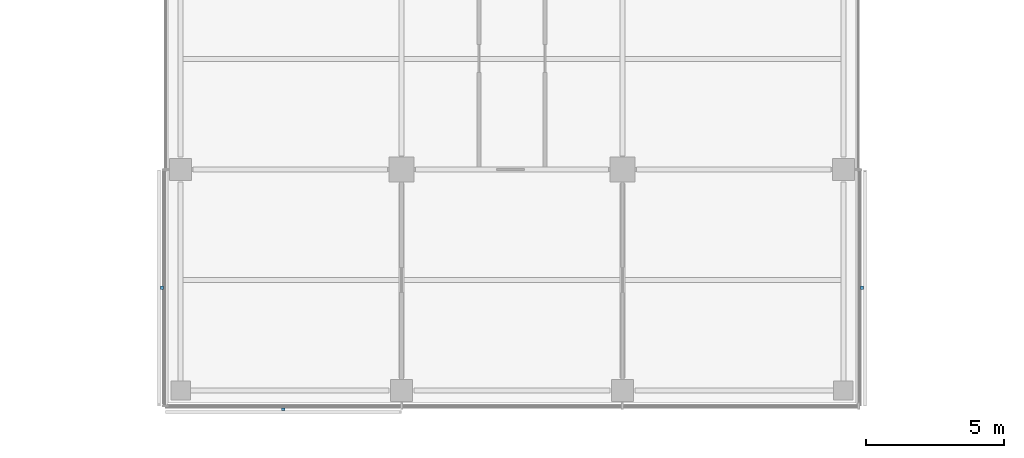
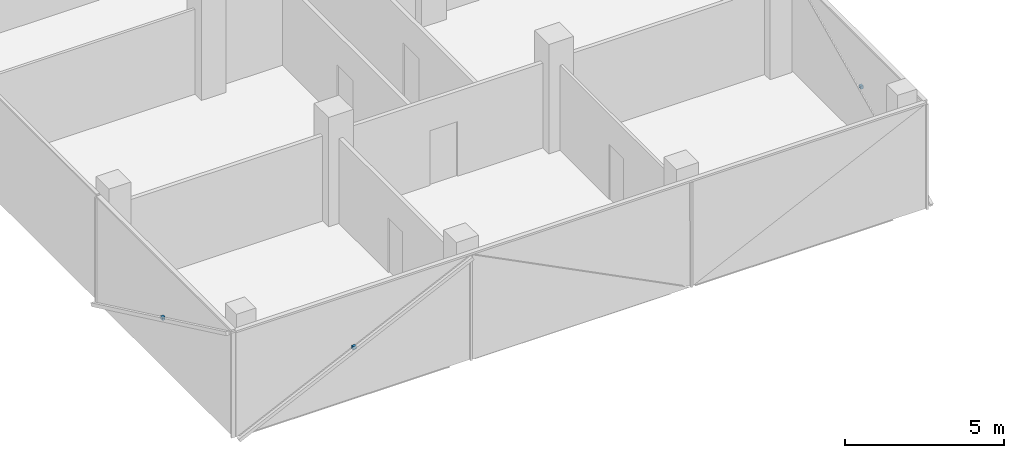
# One storey, part 18 of 22: 3 discrete accessories.
"""IFC4 building model written with IfcOpenShell, lengths in metres."""

import ifcopenshell
import ifcopenshell.guid

model = None  # the IFC model being written
_history = None  # IfcOwnerHistory: only IFC2X3 demands one
_inside = {}  # id of a spatial element -> (the spatial element, [elements in it])
_under = {}  # id of a project, library or spatial element -> (it, [spatial elements below it])
_declared = {}  # id of a project -> (the project, [libraries it declares])
_typed = {}  # id of a type object -> (the type object, [elements of that type])
_made_of = {}  # id of a material, layer set ... -> (it, [elements and type objects made of it])


def new_model(schema):
    """Start an empty IFC model of exactly this schema.

    Asked for "IFC4X3", IfcOpenShell would pick the latest addendum, in which some entities
    have other attributes; the version numbers below select the first issue.
    IFC2X3 requires an IfcOwnerHistory on every rooted entity: one is made here for all.
    """
    global model, _history
    if schema == "IFC4X3":
        model = ifcopenshell.file(schema_version=(4, 3, 0, 0))
    else:
        model = ifcopenshell.file(schema=schema)
    _inside.clear()
    _under.clear()
    _declared.clear()
    _typed.clear()
    _made_of.clear()
    _history = None
    if model.schema == "IFC2X3":
        org = make("IfcOrganization", Name="unknown")
        user = make(
            "IfcPersonAndOrganization",
            ThePerson=make("IfcPerson", FamilyName="unknown"),
            TheOrganization=org,
        )
        app = make(
            "IfcApplication",
            ApplicationDeveloper=org,
            Version="unknown",
            ApplicationFullName="unknown",
            ApplicationIdentifier="unknown",
        )
        _history = make(
            "IfcOwnerHistory",
            OwningUser=user,
            OwningApplication=app,
            ChangeAction="ADDED",
            CreationDate=0,
        )
    return model


def make(cls, **values):
    """One entity of the class cls with the attributes given. An attribute that is None is left unset."""
    return model.create_entity(
        cls, **{name: value for name, value in values.items() if value is not None}
    )


def rooted(cls, **values):
    """An entity with a GlobalId (a new one), such as an element, a storey or a relation."""
    return make(cls, GlobalId=ifcopenshell.guid.new(), OwnerHistory=_history, **values)


def si_unit(unit_type, name, prefix=None):
    """IfcSIUnit, for example si_unit("LENGTHUNIT", "METRE", prefix="MILLI")."""
    return make("IfcSIUnit", UnitType=unit_type, Prefix=prefix, Name=name)


def assignment(units):
    """IfcUnitAssignment: the units of a project."""
    return None if units is None else make("IfcUnitAssignment", Units=units)


def point(xyz):
    """IfcCartesianPoint."""
    return None if xyz is None else make("IfcCartesianPoint", Coordinates=xyz)


def direction(xyz):
    """IfcDirection."""
    return None if xyz is None else make("IfcDirection", DirectionRatios=xyz)


def frame(location, z_axis=None, x_axis=None):
    """IfcAxis2Placement3D, a coordinate frame: its origin and axes. An axis left out is left unset."""
    return make(
        "IfcAxis2Placement3D",
        Location=point(location),
        Axis=direction(z_axis),
        RefDirection=direction(x_axis),
    )


def frame_2d(location, x_axis=None):
    """IfcAxis2Placement2D, a coordinate frame in the plane: its origin and x axis."""
    return make(
        "IfcAxis2Placement2D", Location=point(location), RefDirection=direction(x_axis)
    )


def origin():
    """The frame at (0, 0, 0) with its axes left unset."""
    return frame((0.0, 0.0, 0.0))


def origin_2d():
    """The frame at (0, 0) in the plane with its x axis left unset."""
    return frame_2d((0.0, 0.0))


def place(relative_to, where):
    """IfcLocalPlacement: puts the frame where relative to a parent placement (None: the world)."""
    return make(
        "IfcLocalPlacement", PlacementRelTo=relative_to, RelativePlacement=where
    )


def context(
    kind, dimensions, precision=None, world=None, true_north=None, identifier=None
):
    """IfcGeometricRepresentationContext, for example the 3D "Model" context."""
    return make(
        "IfcGeometricRepresentationContext",
        ContextIdentifier=identifier,
        ContextType=kind,
        CoordinateSpaceDimension=dimensions,
        Precision=precision,
        WorldCoordinateSystem=world,
        TrueNorth=true_north,
    )


def subcontext(parent, identifier, kind, view, scale=None):
    """IfcGeometricRepresentationSubContext, for example "Body" below "Model"."""
    return make(
        "IfcGeometricRepresentationSubContext",
        ContextIdentifier=identifier,
        ContextType=kind,
        ParentContext=parent,
        TargetScale=scale,
        TargetView=view,
    )


def project(units=None, contexts=None):
    """IfcProject with its units and contexts."""
    return rooted(
        "IfcProject",
        Name="project",
        RepresentationContexts=contexts,
        UnitsInContext=assignment(units),
    )


def spatial(cls, under=None, at=None, **own):
    """A site, building, storey or space (cls), placed at a placement, below another one or the project."""
    s = rooted(cls, ObjectPlacement=at, **own)
    if under is not None:
        _under.setdefault(under.id(), (under, []))[1].append(s)
    return s


def profile(cls, at=None, kind="AREA", **sizes):
    """A parametric profile (cls). Its sizes go by their IFC names, for example OverallWidth=200.0."""
    return make(cls, ProfileType=kind, Position=at, **sizes)


def rectangle(**sizes):
    """IfcRectangleProfileDef."""
    return profile("IfcRectangleProfileDef", **sizes)


def extrude(swept, where, along, depth):
    """IfcExtrudedAreaSolid: the profile swept, set in the frame where, extruded along a direction by depth."""
    return make(
        "IfcExtrudedAreaSolid",
        SweptArea=swept,
        Position=where,
        ExtrudedDirection=direction(along),
        Depth=depth,
    )


def shape(context_of_items, identifier, shape_type, items):
    """IfcShapeRepresentation: the items that make up one representation, for example the "Body"."""
    return make(
        "IfcShapeRepresentation",
        ContextOfItems=context_of_items,
        RepresentationIdentifier=identifier,
        RepresentationType=shape_type,
        Items=items,
    )


def material(Name=None, Category=None):
    """IfcMaterial."""
    return make("IfcMaterial", Name=Name, Category=Category)


def made_of(thing, what):
    """Note that an element or type object is made of a material, layer set ...; save() writes the relation."""
    if what is not None:
        _made_of.setdefault(what.id(), (what, []))[1].append(thing)
    return thing


def type_object(cls, material=None, **own):
    """A type object (cls), such as IfcWallType, which elements share."""
    return made_of(rooted(cls, **own), material)


def element(
    cls,
    number,
    at=None,
    inside=None,
    cuts=None,
    type_object=None,
    material=None,
    context=None,
    identifier="Body",
    shape_type=None,
    held_by="IfcProductDefinitionShape",
    body=None,
    shapes=None,
    **own,
):
    """One element of the class cls, such as IfcWall. Its Tag is "e" and its number.

    at: its placement. inside: the storey or other place that contains it. cuts: it is an
    opening in that element (IfcRelVoidsElement). A single representation is given by context,
    identifier, shape_type and body (its items); several are given by shapes. held_by: the class
    of the entity that holds the representations. save() writes the other relations.
    """
    e = rooted(cls, Tag="e%d" % number, ObjectPlacement=at, **own)
    if body is not None:
        shapes = [shape(context, identifier, shape_type, body)]
    if shapes is not None:
        e.Representation = make(held_by, Representations=shapes)
    if inside is not None:
        _inside.setdefault(inside.id(), (inside, []))[1].append(e)
    if cuts is not None:
        rooted(
            "IfcRelVoidsElement", RelatingBuildingElement=cuts, RelatedOpeningElement=e
        )
    if type_object is not None:
        _typed.setdefault(type_object.id(), (type_object, []))[1].append(e)
    return made_of(e, material)


def aggregate(whole, parts):
    """IfcRelAggregates: a whole, such as a stair, and the parts it consists of."""
    return rooted("IfcRelAggregates", RelatingObject=whole, RelatedObjects=parts)


def save(model, path):
    """Write the relations noted so far, then the file.

    IfcRelAggregates (storeys below a building ...), IfcRelContainedInSpatialStructure (elements
    in a storey), IfcRelDefinesByType, IfcRelAssociatesMaterial and IfcRelDeclares: one each for
    every whole, place, type object, material and project.
    """
    for whole, parts in _under.values():
        aggregate(whole, parts)
    for where, things in _inside.values():
        rooted(
            "IfcRelContainedInSpatialStructure",
            RelatedElements=things,
            RelatingStructure=where,
        )
    for kind, things in _typed.values():
        rooted("IfcRelDefinesByType", RelatedObjects=things, RelatingType=kind)
    for what, things in _made_of.values():
        rooted("IfcRelAssociatesMaterial", RelatedObjects=things, RelatingMaterial=what)
    for by, libraries in _declared.values():
        rooted("IfcRelDeclares", RelatingContext=by, RelatedDefinitions=libraries)
    model.write(path)


model = new_model("IFC4")

# Units and contexts
model_context = context("Model", 3, precision=1e-05, world=origin(), true_north=direction((0.0, 1.0)))
body_context = subcontext(model_context, "Body", "Model", "MODEL_VIEW")
ifc_project = project(units=[si_unit("LENGTHUNIT", "METRE"), si_unit("AREAUNIT", "SQUARE_METRE"), si_unit("VOLUMEUNIT", "CUBIC_METRE"), si_unit("PLANEANGLEUNIT", "RADIAN"), si_unit("MASSUNIT", "GRAM", prefix="KILO")], contexts=[model_context])

# Site, building, storey
site_placement = place(None, origin())
site = spatial("IfcSite", under=ifc_project, at=site_placement, CompositionType="ELEMENT")
building_placement = place(site_placement, origin())
building = spatial("IfcBuilding", under=site, at=building_placement, Name="Crosswind Convention Tower", CompositionType="ELEMENT")
storey_placement = place(building_placement, frame((0.0, 0.0, 167.300048828125)))
storey = spatial("IfcBuildingStorey", under=building, at=storey_placement, Name="L35", CompositionType="ELEMENT", Elevation=167.300048828125)

# Discrete accessories
ifc_material = material(Name="Stainless steel", Category="steel")
discrete_accessory_type = type_object("IfcDiscreteAccessoryType", Name="BAGUETTE BRACKET BK3", PredefinedType="BRACKET", material=ifc_material)
for number, where, z_axis, x_axis, name in (
    (1, (112.323974609375, 75.719970703125, 1.65478515625), (0.0, 0.0, 1.0), (0.0, -1.0, 0.0), "BK3 baguette bracket"),
    (2, (116.719970703125, 71.323974609375, 1.65478515625), (0.0, 0.0, 1.0), (1.0, 0.0, 0.0), "BK3 baguette bracket"),
    (3, (137.676025390625, 75.719970703125, 1.65478515625), (0.0, 0.0, 1.0), (0.0, 1.0, 0.0), "BK3 baguette bracket"),
):
    element("IfcDiscreteAccessory", number, at=place(storey_placement, frame(where, z_axis=z_axis, x_axis=x_axis)), inside=storey, type_object=discrete_accessory_type, Name=name, PredefinedType="BRACKET", context=body_context, shape_type="SweptSolid", body=[
        extrude(rectangle(XDim=0.1201171875, YDim=0.10009765625, at=origin_2d()), origin(), (0.0, 0.0, 1.0), 0.1201171875),
    ])

save(model, "model.ifc")
